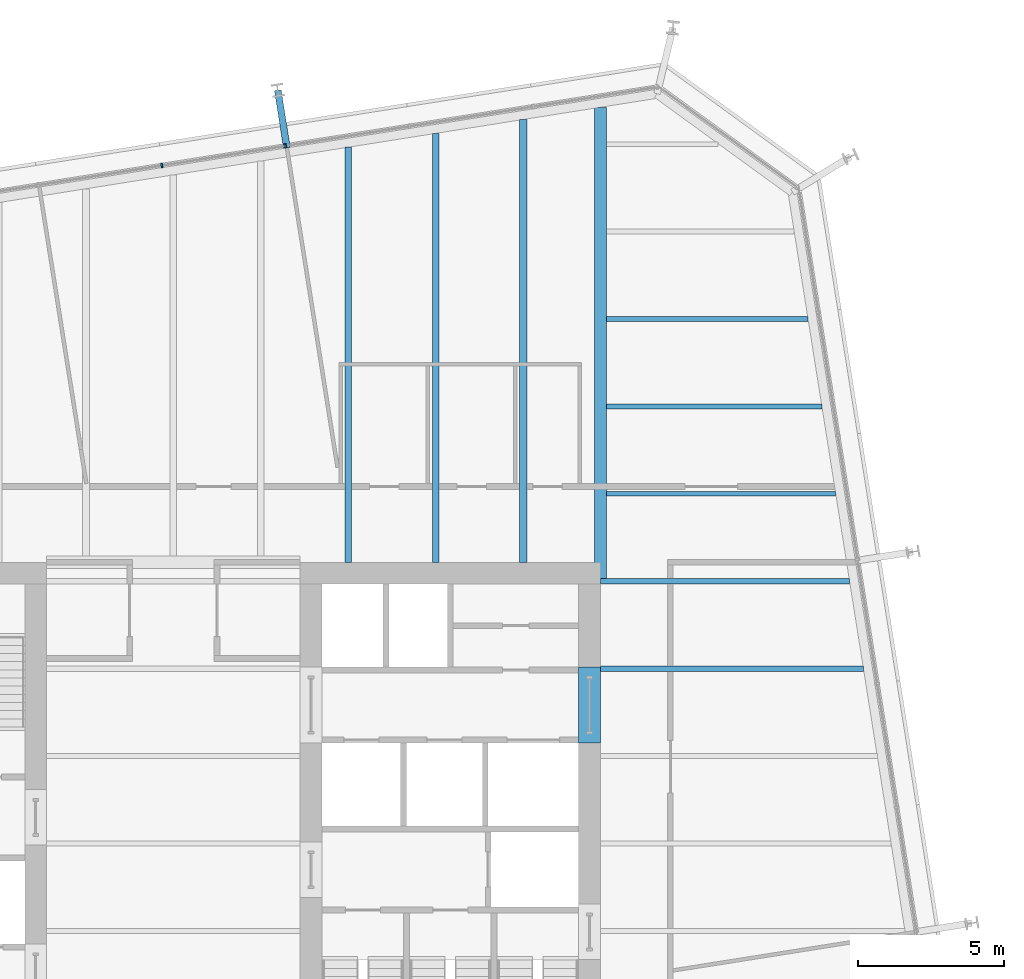
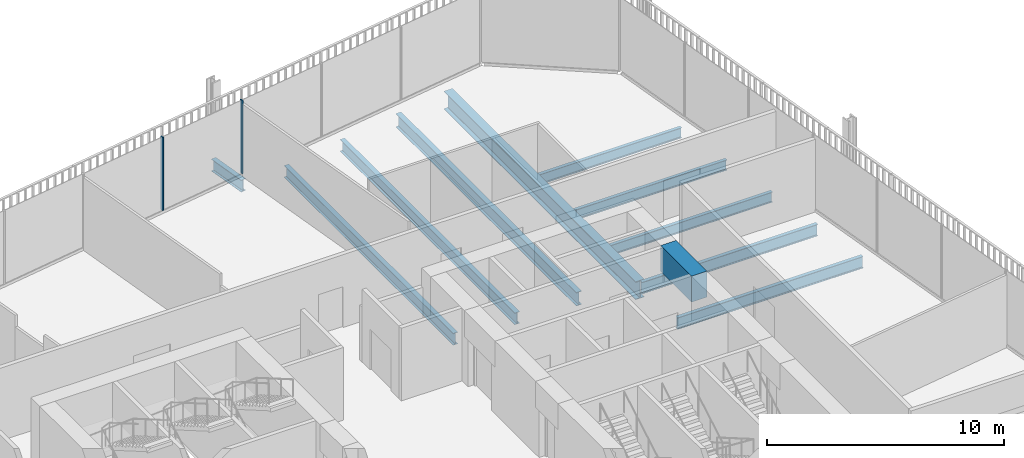
# One storey, part 13 of 21: 11 beams, 2 members, 1 element without a shape of its own.
"""IFC4 building model written with IfcOpenShell, lengths in metres."""

from ifc_helpers import new_model, si_unit, direction, frame, origin, origin_2d, place, context, subcontext, project, spatial, rectangle, i_section, extrude, material, layer, layer_set, material_profile, profile_set, type_object, element, aggregate, save


model = new_model("IFC4")

# Units and contexts
model_context = context("Model", 3, precision=1e-05, world=origin(), true_north=direction((0.0, 1.0)))
body_context = subcontext(model_context, "Body", "Model", "MODEL_VIEW")
ifc_project = project(units=[si_unit("LENGTHUNIT", "METRE"), si_unit("AREAUNIT", "SQUARE_METRE"), si_unit("VOLUMEUNIT", "CUBIC_METRE"), si_unit("PLANEANGLEUNIT", "RADIAN"), si_unit("MASSUNIT", "GRAM", prefix="KILO")], contexts=[model_context])

# Site, building, storey
site_placement = place(None, origin())
site = spatial("IfcSite", under=ifc_project, at=site_placement, CompositionType="ELEMENT")
building_placement = place(site_placement, origin())
building = spatial("IfcBuilding", under=site, at=building_placement, Name="Millrace Tower", CompositionType="ELEMENT")
storey_placement = place(building_placement, frame((0.0, 0.0, 156.800048828125)))
storey = spatial("IfcBuildingStorey", under=building, at=storey_placement, Name="L35", CompositionType="ELEMENT", Elevation=156.800048828125)

# Curtain wall, members
ifc_material_1 = material(Name="Aluminium and glass", Category="aluminium")
ifc_layer = layer(ifc_material_1, 0.14990234375)
ifc_layer_set = layer_set([ifc_layer], Name="Aluminium and glass")
curtain_wall_type = type_object("IfcCurtainWallType", Name="CW-1 office vision curtain wall", PredefinedType="NOTDEFINED", material=ifc_layer_set)
curtain_wall_placement = place(storey_placement, origin())
curtain_wall = element("IfcCurtainWall", 1, at=curtain_wall_placement, inside=storey, type_object=curtain_wall_type, Name="Curtain wall C-F06 L35", PredefinedType="NOTDEFINED")
ifc_material_2 = material(Name="Aluminium", Category="aluminium")
ifc_material_profile_1 = material_profile(ifc_material_2, rectangle(XDim=0.06494140625, YDim=0.14990234375, at=origin_2d()))
ifc_profile_set_1 = profile_set([ifc_material_profile_1], Name="Aluminium")
member_type = type_object("IfcMemberType", Name="CW-1 office vision curtain wall mullion", PredefinedType="MULLION", material=ifc_profile_set_1)
member_1_placement = place(storey_placement, frame((3.8505859375, 23.938720703125, 0.139892578125), z_axis=(0.0, 0.0, 1.0), x_axis=(-0.98768833929, -0.15643447328, 0.0)))
member_1 = element("IfcMember", 2, at=member_1_placement, type_object=member_type, Name="CW1 mullion C-F06.4", PredefinedType="MULLION", context=body_context, shape_type="SweptSolid", body=[
    extrude(rectangle(XDim=0.06494140625, YDim=0.14990234375, at=origin_2d()), origin(), (0.0, 0.0, 1.0), 3.760009765625),
])
member_2_placement = place(storey_placement, frame((-0.396484375, 23.26611328125, 0.139892578125), z_axis=(0.0, 0.0, 1.0), x_axis=(-0.98768833929, -0.15643447328, 0.0)))
member_2 = element("IfcMember", 3, at=member_2_placement, type_object=member_type, Name="CW1 mullion C-F06.5", PredefinedType="MULLION", context=body_context, shape_type="SweptSolid", body=[
    extrude(rectangle(XDim=0.06494140625, YDim=0.14990234375, at=origin_2d()), origin(), (0.0, 0.0, 1.0), 3.760009765625),
])
aggregate(curtain_wall, [member_1, member_2])

# Beams
ifc_material_3 = material(Name="Concrete C70", Category="concrete")
ifc_material_profile_2 = material_profile(ifc_material_3, rectangle(XDim=0.75, YDim=1.340087890625, at=origin_2d()))
ifc_profile_set_2 = profile_set([ifc_material_profile_2], Name="Concrete C70")
beam_type_1 = type_object("IfcBeamType", Name="Coupling beam 750 x 1340 Concrete C70, 2000 opening", PredefinedType="BEAM", material=ifc_profile_set_2)
beam_1_placement = place(storey_placement, frame((14.27490234375, 6.050048828125, 3.070068359375), z_axis=(0.0, -1.0, 0.0), x_axis=(1.0, 0.0, 0.0)))
element("IfcBeam", 4, at=beam_1_placement, inside=storey, type_object=beam_type_1, Name="Coupling beam E L35", PredefinedType="BEAM", context=body_context, shape_type="SweptSolid", body=[
    extrude(rectangle(XDim=0.75, YDim=1.340087890625, at=origin_2d()), origin(), (0.0, 0.0, 1.0), 2.60009765625),
])
ifc_material_4 = material(Name="Steel ASTM A992 Grade 50", Category="steel")
ifc_material_profile_3 = material_profile(ifc_material_4, i_section(OverallWidth=0.1650390625, OverallDepth=0.52587890625, WebThickness=0.0087890625, FlangeThickness=0.011474609375, FilletRadius=0.0126953125, at=origin_2d()))
ifc_profile_set_3 = profile_set([ifc_material_profile_3], Name="Steel ASTM A992 Grade 50")
beam_type_2 = type_object("IfcBeamType", Name="Floor beam W21x44", PredefinedType="JOIST", material=ifc_profile_set_3)
beam_2_placement = place(storey_placement, frame((14.859619140625, 12.0, -0.4228515625), z_axis=(1.0, 0.0, 0.0), x_axis=(0.0, 1.0, 0.0)))
element("IfcBeam", 5, at=beam_2_placement, inside=storey, type_object=beam_type_2, Name="BM-C-L35-S1-S032", PredefinedType="JOIST", context=body_context, shape_type="SweptSolid", body=[
    extrude(i_section(OverallWidth=0.1650390625, OverallDepth=0.52587890625, WebThickness=0.0087890625, FlangeThickness=0.011474609375, FilletRadius=0.0126953125, at=origin_2d()), origin(), (0.0, 0.0, 1.0), 7.8662109375),
])
beam_3_placement = place(storey_placement, frame((14.859619140625, 15.0, -0.4228515625), z_axis=(1.0, 0.0, 0.0), x_axis=(0.0, 1.0, 0.0)))
element("IfcBeam", 6, at=beam_3_placement, inside=storey, type_object=beam_type_2, Name="BM-C-L35-S1-S034", PredefinedType="JOIST", context=body_context, shape_type="SweptSolid", body=[
    extrude(i_section(OverallWidth=0.1650390625, OverallDepth=0.52587890625, WebThickness=0.0087890625, FlangeThickness=0.011474609375, FilletRadius=0.0126953125, at=origin_2d()), origin(), (0.0, 0.0, 1.0), 7.390869140625),
])
beam_4_placement = place(storey_placement, frame((14.859619140625, 18.0, -0.4228515625), z_axis=(1.0, 0.0, 0.0), x_axis=(0.0, 1.0, 0.0)))
element("IfcBeam", 7, at=beam_4_placement, inside=storey, type_object=beam_type_2, Name="BM-C-L35-S1-S036", PredefinedType="JOIST", context=body_context, shape_type="SweptSolid", body=[
    extrude(i_section(OverallWidth=0.1650390625, OverallDepth=0.52587890625, WebThickness=0.0087890625, FlangeThickness=0.011474609375, FilletRadius=0.0126953125, at=origin_2d()), origin(), (0.0, 0.0, 1.0), 6.915771484375),
])
ifc_material_5 = material(Name="Steel ASTM A992 Grade 50", Category="steel")
ifc_material_profile_4 = material_profile(ifc_material_5, i_section(OverallWidth=0.177978515625, OverallDepth=0.599365234375, WebThickness=0.010009765625, FlangeThickness=0.012939453125, FilletRadius=0.012939453125, at=origin_2d()))
ifc_profile_set_4 = profile_set([ifc_material_profile_4], Name="Steel ASTM A992 Grade 50")
beam_type_3 = type_object("IfcBeamType", Name="Floor beam W24x55", PredefinedType="JOIST", material=ifc_profile_set_4)
beam_5_placement = place(storey_placement, frame((14.64990234375, 6.0, -0.459716796875), z_axis=(1.0, 0.0, 0.0), x_axis=(0.0, 1.0, 0.0)))
element("IfcBeam", 8, at=beam_5_placement, inside=storey, type_object=beam_type_3, Name="BM-C-L35-S1-S027", PredefinedType="JOIST", context=body_context, shape_type="SweptSolid", body=[
    extrude(i_section(OverallWidth=0.177978515625, OverallDepth=0.599365234375, WebThickness=0.010009765625, FlangeThickness=0.012939453125, FilletRadius=0.012939453125, at=origin_2d()), origin(), (0.0, 0.0, 1.0), 9.026123046875),
])
beam_6_placement = place(storey_placement, frame((14.64990234375, 9.0, -0.459716796875), z_axis=(1.0, 0.0, 0.0), x_axis=(0.0, 1.0, 0.0)))
element("IfcBeam", 9, at=beam_6_placement, inside=storey, type_object=beam_type_3, Name="BM-C-L35-S1-S030", PredefinedType="JOIST", context=body_context, shape_type="SweptSolid", body=[
    extrude(i_section(OverallWidth=0.177978515625, OverallDepth=0.599365234375, WebThickness=0.010009765625, FlangeThickness=0.012939453125, FilletRadius=0.012939453125, at=origin_2d()), origin(), (0.0, 0.0, 1.0), 8.551025390625),
])
ifc_material_6 = material(Name="Steel ASTM A992 Grade 50", Category="steel")
ifc_material_profile_5 = material_profile(ifc_material_6, i_section(OverallWidth=0.228271484375, OverallDepth=0.607177734375, WebThickness=0.01123046875, FlangeThickness=0.017333984375, FilletRadius=0.0126953125, at=origin_2d()))
ifc_profile_set_5 = profile_set([ifc_material_profile_5], Name="Steel ASTM A992 Grade 50")
beam_type_4 = type_object("IfcBeamType", Name="Floor beam W24x76", PredefinedType="JOIST", material=ifc_profile_set_5)
beam_7_placement = place(storey_placement, frame((6.0, 9.64990234375, -0.463623046875), z_axis=(0.0, 1.0, 0.0), x_axis=(-1.0, 0.0, 0.0)))
element("IfcBeam", 10, at=beam_7_placement, inside=storey, type_object=beam_type_4, Name="BM-C-L35-S1-S051", PredefinedType="JOIST", context=body_context, shape_type="SweptSolid", body=[
    extrude(i_section(OverallWidth=0.228271484375, OverallDepth=0.607177734375, WebThickness=0.01123046875, FlangeThickness=0.017333984375, FilletRadius=0.0126953125, at=origin_2d()), origin(), (0.0, 0.0, 1.0), 14.2421875),
])
beam_8_placement = place(storey_placement, frame((9.0, 9.64990234375, -0.463623046875), z_axis=(0.0, 1.0, 0.0), x_axis=(-1.0, 0.0, 0.0)))
element("IfcBeam", 11, at=beam_8_placement, inside=storey, type_object=beam_type_4, Name="BM-C-L35-S1-S053", PredefinedType="JOIST", context=body_context, shape_type="SweptSolid", body=[
    extrude(i_section(OverallWidth=0.228271484375, OverallDepth=0.607177734375, WebThickness=0.01123046875, FlangeThickness=0.017333984375, FilletRadius=0.0126953125, at=origin_2d()), origin(), (0.0, 0.0, 1.0), 14.71728515625),
])
ifc_material_7 = material(Name="Steel ASTM A992 Grade 50", Category="steel")
ifc_material_profile_6 = material_profile(ifc_material_7, i_section(OverallWidth=0.256591796875, OverallDepth=0.693359375, WebThickness=0.014404296875, FlangeThickness=0.023681640625, FilletRadius=0.01513671875, at=origin_2d()))
ifc_profile_set_6 = profile_set([ifc_material_profile_6], Name="Steel ASTM A992 Grade 50")
beam_type_5 = type_object("IfcBeamType", Name="Floor beam W27x114", PredefinedType="JOIST", material=ifc_profile_set_6)
beam_9_placement = place(storey_placement, frame((12.0, 9.64990234375, -0.5068359375), z_axis=(0.0, 1.0, 0.0), x_axis=(-1.0, 0.0, 0.0)))
element("IfcBeam", 12, at=beam_9_placement, inside=storey, type_object=beam_type_5, Name="BM-C-L35-S1-S055", PredefinedType="JOIST", context=body_context, shape_type="SweptSolid", body=[
    extrude(i_section(OverallWidth=0.256591796875, OverallDepth=0.693359375, WebThickness=0.014404296875, FlangeThickness=0.023681640625, FilletRadius=0.01513671875, at=origin_2d()), origin(), (0.0, 0.0, 1.0), 15.1923828125),
])
ifc_material_8 = material(Name="Steel ASTM A992 Grade 50", Category="steel")
ifc_material_profile_7 = material_profile(ifc_material_8, i_section(OverallWidth=0.419189453125, OverallDepth=0.927001953125, WebThickness=0.019287109375, FlangeThickness=0.031982421875, FilletRadius=0.024169921875, at=origin_2d()))
ifc_profile_set_7 = profile_set([ifc_material_profile_7], Name="Steel ASTM A992 Grade 50")
beam_type_6 = type_object("IfcBeamType", Name="Girder medium span W36x231", PredefinedType="BEAM", material=ifc_profile_set_7)
beam_10_placement = place(storey_placement, frame((14.64990234375, 9.090087890625, -0.62353515625), z_axis=(0.0, 1.0, 0.0), x_axis=(-1.0, 0.0, 0.0)))
element("IfcBeam", 13, at=beam_10_placement, inside=storey, type_object=beam_type_6, Name="BM-C-L35-S1-G059", PredefinedType="BEAM", context=body_context, shape_type="SweptSolid", body=[
    extrude(i_section(OverallWidth=0.419189453125, OverallDepth=0.927001953125, WebThickness=0.019287109375, FlangeThickness=0.031982421875, FilletRadius=0.024169921875, at=origin_2d()), origin(), (0.0, 0.0, 1.0), 16.1640625),
])
ifc_material_9 = material(Name="Steel ASTM A992 Grade 50", Category="steel")
ifc_material_profile_8 = material_profile(ifc_material_9, i_section(OverallWidth=0.23046875, OverallDepth=0.6171875, WebThickness=0.01318359375, FlangeThickness=0.022216796875, FilletRadius=0.012939453125, at=origin_2d()))
ifc_profile_set_8 = profile_set([ifc_material_profile_8], Name="Steel ASTM A992 Grade 50")
beam_type_7 = type_object("IfcBeamType", Name="Link beam W24x94", PredefinedType="BEAM", material=ifc_profile_set_8)
beam_11_placement = place(storey_placement, frame((3.894287109375, 23.86962890625, -0.46875), z_axis=(-0.15637629034, 0.987697552806, 0.0), x_axis=(-0.987697552806, -0.15637629034, 0.0)))
element("IfcBeam", 14, at=beam_11_placement, inside=storey, type_object=beam_type_7, Name="LNK-C-L35-S1-07", PredefinedType="BEAM", context=body_context, shape_type="SweptSolid", body=[
    extrude(i_section(OverallWidth=0.23046875, OverallDepth=0.6171875, WebThickness=0.01318359375, FlangeThickness=0.022216796875, FilletRadius=0.012939453125, at=origin_2d()), origin(), (0.0, 0.0, 1.0), 2.0),
])

save(model, "model.ifc")
